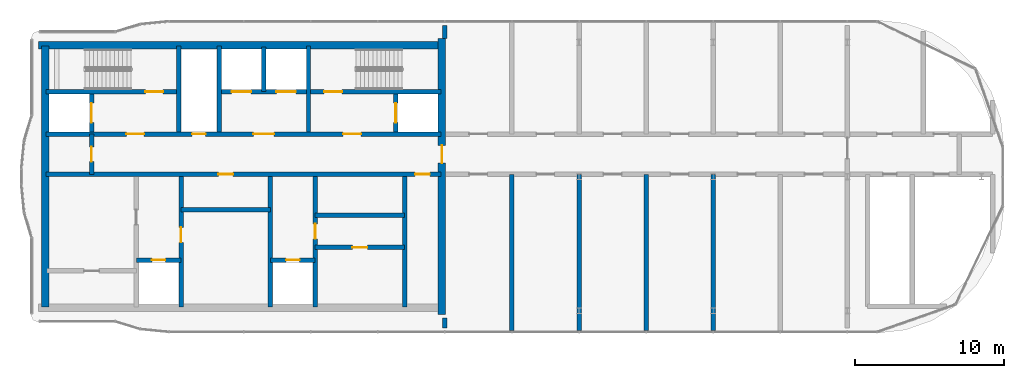
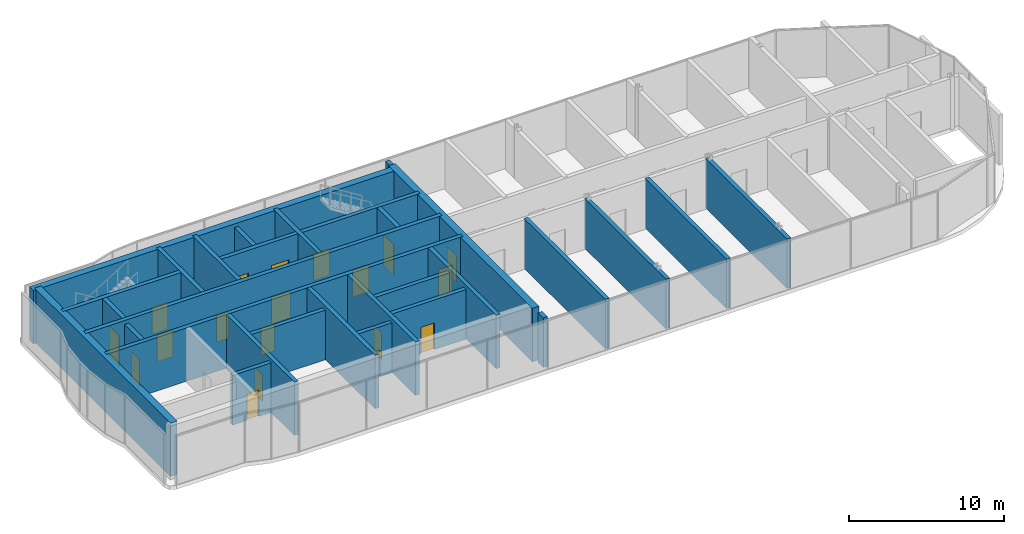
# One storey, part 11 of 14: 29 walls, 19 doors, 19 openings.
"""IFC4 building model written with IfcOpenShell, lengths in metres."""

from ifc_helpers import new_model, si_unit, direction, frame, frame_2d, origin, place, context, subcontext, project, spatial, rectangle, extrude, material, layer, layer_set, type_object, element, fill, save


model = new_model("IFC4")

# Units and contexts
model_context = context("Model", 3, precision=1e-05, world=origin(), true_north=direction((0.0, 1.0)))
body_context = subcontext(model_context, "Body", "Model", "MODEL_VIEW")
ifc_project = project(units=[si_unit("LENGTHUNIT", "METRE"), si_unit("AREAUNIT", "SQUARE_METRE"), si_unit("VOLUMEUNIT", "CUBIC_METRE"), si_unit("PLANEANGLEUNIT", "RADIAN"), si_unit("MASSUNIT", "GRAM", prefix="KILO")], contexts=[model_context])

# Site, building, storey
site_placement = place(None, origin())
site = spatial("IfcSite", under=ifc_project, at=site_placement, CompositionType="ELEMENT")
building_placement = place(site_placement, origin())
building = spatial("IfcBuilding", under=site, at=building_placement, Name="Ogive Portal Towers", CompositionType="ELEMENT")
storey_placement = place(building_placement, frame((0.0, 0.0, 277.10009765625)))
storey = spatial("IfcBuildingStorey", under=building, at=storey_placement, Name="L67", CompositionType="ELEMENT", Elevation=277.10009765625)

# Wall, opening, door
ifc_material_1 = material(Name="Concrete C60/75", Category="concrete")
ifc_layer_1 = layer(ifc_material_1, 0.300048828125)
ifc_layer_set_1 = layer_set([ifc_layer_1], Name="CORE WALL 300 C60")
wall_type_1 = type_object("IfcWallType", Name="CORE WALL 300 C60", PredefinedType="SHEAR", material=ifc_layer_set_1)
wall_1_placement = place(storey_placement, frame((40.800048828125, 21.75, 0.0), z_axis=(0.0, 0.0, 1.0), x_axis=(0.0, 1.0, 0.0)))
wall_1 = element("IfcWall", 1, at=wall_1_placement, inside=storey, type_object=wall_type_1, Name="Core wall X2 L67", PredefinedType="SHEAR", context=body_context, shape_type="SweptSolid", body=[
    extrude(rectangle(XDim=8.75, YDim=0.300048828125, at=frame_2d((4.375, 0.0))), origin(), (0.0, 0.0, 1.0), 4.199951171875),
])
opening_1_placement = place(wall_1_placement, frame((4.337890625, 0.0, 0.0)))
opening_1 = element("IfcOpeningElement", 2, at=opening_1_placement, cuts=wall_1, Name="Opening D33-018", PredefinedType="OPENING", context=body_context, shape_type="SweptSolid", body=[
    extrude(rectangle(XDim=1.0, YDim=2.10009765625, at=frame_2d((0.5, 1.050048828125))), frame((0.0, 0.16015625, 0.0), z_axis=(0.0, -1.0, 0.0), x_axis=(1.0, 0.0, 0.0)), (0.0, 0.0, 1.0), 0.320068359375),
])
ifc_material_2 = material(Name="Steel fire door", Category="steel")
door_type_1 = type_object("IfcDoorType", Name="DT-SWING-1000x2100-FD90S", OperationType="SINGLE_SWING_LEFT", PredefinedType="DOOR", material=ifc_material_2)
door_1_placement = place(opening_1_placement, origin())
door_1 = element("IfcDoor", 3, at=door_1_placement, inside=storey, type_object=door_type_1, Name="Door D33-018", OperationType="SINGLE_SWING_RIGHT", OverallHeight=2.10009765625, OverallWidth=1.0, PredefinedType="DOOR", context=body_context, shape_type="SweptSolid", body=[
    extrude(rectangle(XDim=1.0, YDim=2.10009765625, at=frame_2d((0.5, 1.050048828125))), frame((0.0, 0.02490234375, 0.0), z_axis=(0.0, -1.0, 0.0), x_axis=(1.0, 0.0, 0.0)), (0.0, 0.0, 1.0), 0.050048828125),
])
fill(opening_1, door_1)

# Wall
wall_2_placement = place(storey_placement, frame((46.800048828125, 21.75, 0.0), z_axis=(0.0, 0.0, 1.0), x_axis=(0.0, 1.0, 0.0)))
element("IfcWall", 4, at=wall_2_placement, inside=storey, type_object=wall_type_1, Name="Core wall X3 L67", PredefinedType="SHEAR", context=body_context, shape_type="SweptSolid", body=[
    extrude(rectangle(XDim=8.75, YDim=0.300048828125, at=frame_2d((4.375, 0.0))), origin(), (0.0, 0.0, 1.0), 4.199951171875),
])

# Wall, opening, door
wall_3_placement = place(storey_placement, frame((49.800048828125, 21.75, 0.0), z_axis=(0.0, 0.0, 1.0), x_axis=(0.0, 1.0, 0.0)))
wall_3 = element("IfcWall", 5, at=wall_3_placement, inside=storey, type_object=wall_type_1, Name="Core wall X4 L67", PredefinedType="SHEAR", context=body_context, shape_type="SweptSolid", body=[
    extrude(rectangle(XDim=8.75, YDim=0.300048828125, at=frame_2d((4.375, 0.0))), origin(), (0.0, 0.0, 1.0), 4.199951171875),
])
opening_2_placement = place(wall_3_placement, frame((4.574951171875, 0.0, 0.0)))
opening_2 = element("IfcOpeningElement", 6, at=opening_2_placement, cuts=wall_3, Name="Opening D33-019", PredefinedType="OPENING", context=body_context, shape_type="SweptSolid", body=[
    extrude(rectangle(XDim=1.0, YDim=2.10009765625, at=frame_2d((0.5, 1.050048828125))), frame((0.0, 0.16015625, 0.0), z_axis=(0.0, -1.0, 0.0), x_axis=(1.0, 0.0, 0.0)), (0.0, 0.0, 1.0), 0.320068359375),
])
door_2_placement = place(opening_2_placement, origin())
door_2 = element("IfcDoor", 7, at=door_2_placement, inside=storey, type_object=door_type_1, Name="Door D33-019", OperationType="SINGLE_SWING_LEFT", OverallHeight=2.10009765625, OverallWidth=1.0, PredefinedType="DOOR", context=body_context, shape_type="SweptSolid", body=[
    extrude(rectangle(XDim=1.0, YDim=2.10009765625, at=frame_2d((0.5, 1.050048828125))), frame((0.0, 0.02490234375, 0.0), z_axis=(0.0, -1.0, 0.0), x_axis=(1.0, 0.0, 0.0)), (0.0, 0.0, 1.0), 0.050048828125),
])
fill(opening_2, door_2)

# Wall
wall_4_placement = place(storey_placement, frame((55.800048828125, 21.75, 0.0), z_axis=(0.0, 0.0, 1.0), x_axis=(0.0, 1.0, 0.0)))
element("IfcWall", 8, at=wall_4_placement, inside=storey, type_object=wall_type_1, Name="Core wall X5 L67", PredefinedType="SHEAR", context=body_context, shape_type="SweptSolid", body=[
    extrude(rectangle(XDim=8.75, YDim=0.300048828125, at=frame_2d((4.375, 0.0))), origin(), (0.0, 0.0, 1.0), 4.199951171875),
])

# Wall, openings, doors
wall_5_placement = place(storey_placement, frame((31.75, 30.64990234375, 0.0), z_axis=(0.0, 0.0, 1.0), x_axis=(1.0, 0.0, 0.0)))
wall_5 = element("IfcWall", 9, at=wall_5_placement, inside=storey, type_object=wall_type_1, Name="Core wall Y1 L67", PredefinedType="SHEAR", context=body_context, shape_type="SweptSolid", body=[
    extrude(rectangle(XDim=26.5, YDim=0.300048828125, at=frame_2d((13.25, 0.0))), origin(), (0.0, 0.0, 1.0), 4.199951171875),
])
opening_3_placement = place(wall_5_placement, frame((24.75, 0.0, 0.0)))
opening_3 = element("IfcOpeningElement", 10, at=opening_3_placement, cuts=wall_5, Name="Opening D33-009", PredefinedType="OPENING", context=body_context, shape_type="SweptSolid", body=[
    extrude(rectangle(XDim=1.0, YDim=2.10009765625, at=frame_2d((0.5, 1.050048828125))), frame((0.0, 0.16015625, 0.0), z_axis=(0.0, -1.0, 0.0), x_axis=(1.0, 0.0, 0.0)), (0.0, 0.0, 1.0), 0.320068359375),
])
opening_4_placement = place(wall_5_placement, frame((11.550048828125, 0.0, 0.0)))
opening_4 = element("IfcOpeningElement", 11, at=opening_4_placement, cuts=wall_5, Name="Opening D33-017", PredefinedType="OPENING", context=body_context, shape_type="SweptSolid", body=[
    extrude(rectangle(XDim=1.0, YDim=2.10009765625, at=frame_2d((0.5, 1.050048828125))), frame((0.0, 0.16015625, 0.0), z_axis=(0.0, -1.0, 0.0), x_axis=(1.0, 0.0, 0.0)), (0.0, 0.0, 1.0), 0.320068359375),
])
door_3_placement = place(opening_3_placement, origin())
door_3 = element("IfcDoor", 12, at=door_3_placement, inside=storey, type_object=door_type_1, Name="Door D33-009", OperationType="SINGLE_SWING_LEFT", OverallHeight=2.10009765625, OverallWidth=1.0, PredefinedType="DOOR", context=body_context, shape_type="SweptSolid", body=[
    extrude(rectangle(XDim=1.0, YDim=2.10009765625, at=frame_2d((0.5, 1.050048828125))), frame((0.0, 0.02490234375, 0.0), z_axis=(0.0, -1.0, 0.0), x_axis=(1.0, 0.0, 0.0)), (0.0, 0.0, 1.0), 0.050048828125),
])
fill(opening_3, door_3)
door_4_placement = place(opening_4_placement, origin())
door_4 = element("IfcDoor", 13, at=door_4_placement, inside=storey, type_object=door_type_1, Name="Riser access door D33-017", OperationType="SINGLE_SWING_LEFT", OverallHeight=2.10009765625, OverallWidth=1.0, PredefinedType="DOOR", context=body_context, shape_type="SweptSolid", body=[
    extrude(rectangle(XDim=1.0, YDim=2.10009765625, at=frame_2d((0.5, 1.050048828125))), frame((0.0, 0.02490234375, 0.0), z_axis=(0.0, -1.0, 0.0), x_axis=(1.0, 0.0, 0.0)), (0.0, 0.0, 1.0), 0.050048828125),
])
fill(opening_4, door_4)

wall_6_placement = place(storey_placement, frame((31.75, 33.35009765625, 0.0), z_axis=(0.0, 0.0, 1.0), x_axis=(1.0, 0.0, 0.0)))
wall_6 = element("IfcWall", 14, at=wall_6_placement, inside=storey, type_object=wall_type_1, Name="Core wall Y2 L67", PredefinedType="SHEAR", context=body_context, shape_type="SweptSolid", body=[
    extrude(rectangle(XDim=26.5, YDim=0.300048828125, at=frame_2d((13.25, 0.0))), origin(), (0.0, 0.0, 1.0), 4.199951171875),
])
opening_5_placement = place(wall_6_placement, frame((13.89990234375, 0.0, 0.0)))
opening_5 = element("IfcOpeningElement", 15, at=opening_5_placement, cuts=wall_6, Name="Opening D33-001", PredefinedType="OPENING", context=body_context, shape_type="SweptSolid", body=[
    extrude(rectangle(XDim=1.39990234375, YDim=2.10009765625, at=frame_2d((0.699951171875, 1.050048828125))), frame((0.0, 0.16015625, 0.0), z_axis=(0.0, -1.0, 0.0), x_axis=(1.0, 0.0, 0.0)), (0.0, 0.0, 1.0), 0.320068359375),
])
opening_6_placement = place(wall_6_placement, frame((5.375, 0.0, 0.0)))
opening_6 = element("IfcOpeningElement", 16, at=opening_6_placement, cuts=wall_6, Name="Opening D33-002", PredefinedType="OPENING", context=body_context, shape_type="SweptSolid", body=[
    extrude(rectangle(XDim=1.199951171875, YDim=2.10009765625, at=frame_2d((0.60009765625, 1.050048828125))), frame((0.0, 0.16015625, 0.0), z_axis=(0.0, -1.0, 0.0), x_axis=(1.0, 0.0, 0.0)), (0.0, 0.0, 1.0), 0.320068359375),
])
opening_7_placement = place(wall_6_placement, frame((19.925048828125, 0.0, 0.0)))
opening_7 = element("IfcOpeningElement", 17, at=opening_7_placement, cuts=wall_6, Name="Opening D33-003", PredefinedType="OPENING", context=body_context, shape_type="SweptSolid", body=[
    extrude(rectangle(XDim=1.199951171875, YDim=2.10009765625, at=frame_2d((0.60009765625, 1.050048828125))), frame((0.0, 0.16015625, 0.0), z_axis=(0.0, -1.0, 0.0), x_axis=(1.0, 0.0, 0.0)), (0.0, 0.0, 1.0), 0.320068359375),
])
opening_8_placement = place(wall_6_placement, frame((9.800048828125, 0.0, 0.0)))
opening_8 = element("IfcOpeningElement", 18, at=opening_8_placement, cuts=wall_6, Name="Opening D33-006", PredefinedType="OPENING", context=body_context, shape_type="SweptSolid", body=[
    extrude(rectangle(XDim=0.89990234375, YDim=2.10009765625, at=frame_2d((0.449951171875, 1.050048828125))), frame((0.0, 0.16015625, 0.0), z_axis=(0.0, -1.0, 0.0), x_axis=(1.0, 0.0, 0.0)), (0.0, 0.0, 1.0), 0.320068359375),
])
door_type_2 = type_object("IfcDoorType", Name="DT-SWING-1200x2100-FD90S", OperationType="SINGLE_SWING_LEFT", PredefinedType="DOOR", material=ifc_material_2)
door_5_placement = place(opening_6_placement, origin())
door_5 = element("IfcDoor", 19, at=door_5_placement, inside=storey, type_object=door_type_2, Name="Door D33-002", OperationType="SINGLE_SWING_LEFT", OverallHeight=2.10009765625, OverallWidth=1.199951171875, PredefinedType="DOOR", context=body_context, shape_type="SweptSolid", body=[
    extrude(rectangle(XDim=1.199951171875, YDim=2.10009765625, at=frame_2d((0.60009765625, 1.050048828125))), frame((0.0, 0.02490234375, 0.0), z_axis=(0.0, -1.0, 0.0), x_axis=(1.0, 0.0, 0.0)), (0.0, 0.0, 1.0), 0.050048828125),
])
fill(opening_6, door_5)
door_6_placement = place(opening_7_placement, origin())
door_6 = element("IfcDoor", 20, at=door_6_placement, inside=storey, type_object=door_type_2, Name="Door D33-003", OperationType="SINGLE_SWING_RIGHT", OverallHeight=2.10009765625, OverallWidth=1.199951171875, PredefinedType="DOOR", context=body_context, shape_type="SweptSolid", body=[
    extrude(rectangle(XDim=1.199951171875, YDim=2.10009765625, at=frame_2d((0.60009765625, 1.050048828125))), frame((0.0, 0.02490234375, 0.0), z_axis=(0.0, -1.0, 0.0), x_axis=(1.0, 0.0, 0.0)), (0.0, 0.0, 1.0), 0.050048828125),
])
fill(opening_7, door_6)
door_type_3 = type_object("IfcDoorType", Name="DT-SWING-1400x2100-FD90S", OperationType="SINGLE_SWING_LEFT", PredefinedType="DOOR", material=ifc_material_2)
door_7_placement = place(opening_5_placement, origin())
door_7 = element("IfcDoor", 21, at=door_7_placement, inside=storey, type_object=door_type_3, Name="Door D33-001", OperationType="SINGLE_SWING_RIGHT", OverallHeight=2.10009765625, OverallWidth=1.39990234375, PredefinedType="DOOR", context=body_context, shape_type="SweptSolid", body=[
    extrude(rectangle(XDim=1.39990234375, YDim=2.10009765625, at=frame_2d((0.699951171875, 1.050048828125))), frame((0.0, 0.02490234375, 0.0), z_axis=(0.0, -1.0, 0.0), x_axis=(1.0, 0.0, 0.0)), (0.0, 0.0, 1.0), 0.050048828125),
])
fill(opening_5, door_7)
door_type_4 = type_object("IfcDoorType", Name="DT-SWING-900x2100-FD90S", OperationType="SINGLE_SWING_LEFT", PredefinedType="DOOR", material=ifc_material_2)
door_8_placement = place(opening_8_placement, origin())
door_8 = element("IfcDoor", 22, at=door_8_placement, inside=storey, type_object=door_type_4, Name="Riser access door D33-006", OperationType="SINGLE_SWING_LEFT", OverallHeight=2.10009765625, OverallWidth=0.89990234375, PredefinedType="DOOR", context=body_context, shape_type="SweptSolid", body=[
    extrude(rectangle(XDim=0.89990234375, YDim=2.10009765625, at=frame_2d((0.449951171875, 1.050048828125))), frame((0.0, 0.02490234375, 0.0), z_axis=(0.0, -1.0, 0.0), x_axis=(1.0, 0.0, 0.0)), (0.0, 0.0, 1.0), 0.050048828125),
])
fill(opening_8, door_8)

# Wall, opening, door
wall_7_placement = place(storey_placement, frame((31.75, 36.199951171875, 0.0), z_axis=(0.0, 0.0, 1.0), x_axis=(1.0, 0.0, 0.0)))
wall_7 = element("IfcWall", 23, at=wall_7_placement, inside=storey, type_object=wall_type_1, Name="Core wall Y3a L67", PredefinedType="SHEAR", context=body_context, shape_type="SweptSolid", body=[
    extrude(rectangle(XDim=8.75, YDim=0.300048828125, at=frame_2d((4.375, 0.0))), origin(), (0.0, 0.0, 1.0), 4.199951171875),
])
opening_9_placement = place(wall_7_placement, frame((6.64990234375, 0.0, 0.0)))
opening_9 = element("IfcOpeningElement", 24, at=opening_9_placement, cuts=wall_7, Name="Opening D33-004", PredefinedType="OPENING", context=body_context, shape_type="SweptSolid", body=[
    extrude(rectangle(XDim=1.199951171875, YDim=2.10009765625, at=frame_2d((0.60009765625, 1.050048828125))), frame((0.0, 0.16015625, 0.0), z_axis=(0.0, -1.0, 0.0), x_axis=(1.0, 0.0, 0.0)), (0.0, 0.0, 1.0), 0.320068359375),
])
door_9_placement = place(opening_9_placement, origin())
door_9 = element("IfcDoor", 25, at=door_9_placement, inside=storey, type_object=door_type_2, Name="Door D33-004", OperationType="SINGLE_SWING_RIGHT", OverallHeight=2.10009765625, OverallWidth=1.199951171875, PredefinedType="DOOR", context=body_context, shape_type="SweptSolid", body=[
    extrude(rectangle(XDim=1.199951171875, YDim=2.10009765625, at=frame_2d((0.60009765625, 1.050048828125))), frame((0.0, 0.02490234375, 0.0), z_axis=(0.0, -1.0, 0.0), x_axis=(1.0, 0.0, 0.0)), (0.0, 0.0, 1.0), 0.050048828125),
])
fill(opening_9, door_9)

# Wall, openings, doors
wall_8_placement = place(storey_placement, frame((43.5, 36.199951171875, 0.0), z_axis=(0.0, 0.0, 1.0), x_axis=(1.0, 0.0, 0.0)))
wall_8 = element("IfcWall", 26, at=wall_8_placement, inside=storey, type_object=wall_type_1, Name="Core wall Y3b L67", PredefinedType="SHEAR", context=body_context, shape_type="SweptSolid", body=[
    extrude(rectangle(XDim=14.75, YDim=0.300048828125, at=frame_2d((7.375, 0.0))), origin(), (0.0, 0.0, 1.0), 4.199951171875),
])
opening_10_placement = place(wall_8_placement, frame((6.89990234375, 0.0, 0.0)))
opening_10 = element("IfcOpeningElement", 27, at=opening_10_placement, cuts=wall_8, Name="Opening D33-005", PredefinedType="OPENING", context=body_context, shape_type="SweptSolid", body=[
    extrude(rectangle(XDim=1.199951171875, YDim=2.10009765625, at=frame_2d((0.60009765625, 1.050048828125))), frame((0.0, 0.16015625, 0.0), z_axis=(0.0, -1.0, 0.0), x_axis=(1.0, 0.0, 0.0)), (0.0, 0.0, 1.0), 0.320068359375),
])
opening_11_placement = place(wall_8_placement, frame((0.699951171875, 0.0, 0.0)))
opening_11 = element("IfcOpeningElement", 28, at=opening_11_placement, cuts=wall_8, Name="Opening D33-011", PredefinedType="OPENING", context=body_context, shape_type="SweptSolid", body=[
    extrude(rectangle(XDim=1.300048828125, YDim=2.39990234375, at=frame_2d((0.64990234375, 1.199951171875))), frame((0.0, 0.16015625, 0.0), z_axis=(0.0, -1.0, 0.0), x_axis=(1.0, 0.0, 0.0)), (0.0, 0.0, 1.0), 0.320068359375),
])
opening_12_placement = place(wall_8_placement, frame((3.699951171875, 0.0, 0.0)))
opening_12 = element("IfcOpeningElement", 29, at=opening_12_placement, cuts=wall_8, Name="Opening D33-012", PredefinedType="OPENING", context=body_context, shape_type="SweptSolid", body=[
    extrude(rectangle(XDim=1.300048828125, YDim=2.39990234375, at=frame_2d((0.64990234375, 1.199951171875))), frame((0.0, 0.16015625, 0.0), z_axis=(0.0, -1.0, 0.0), x_axis=(1.0, 0.0, 0.0)), (0.0, 0.0, 1.0), 0.320068359375),
])
ifc_material_3 = material(Name="Stainless steel", Category="steel")
door_type_5 = type_object("IfcDoorType", Name="DT-LD-1300x2400", OperationType="SLIDING_TO_LEFT", PredefinedType="DOOR", material=ifc_material_3)
door_10_placement = place(opening_11_placement, origin())
door_10 = element("IfcDoor", 30, at=door_10_placement, inside=storey, type_object=door_type_5, Name="Door D33-011", OperationType="SLIDING_TO_LEFT", OverallHeight=2.39990234375, OverallWidth=1.300048828125, PredefinedType="DOOR", context=body_context, shape_type="SweptSolid", body=[
    extrude(rectangle(XDim=1.300048828125, YDim=2.39990234375, at=frame_2d((0.64990234375, 1.199951171875))), frame((0.0, 0.02490234375, 0.0), z_axis=(0.0, -1.0, 0.0), x_axis=(1.0, 0.0, 0.0)), (0.0, 0.0, 1.0), 0.050048828125),
])
fill(opening_11, door_10)
door_11_placement = place(opening_12_placement, origin())
door_11 = element("IfcDoor", 31, at=door_11_placement, inside=storey, type_object=door_type_5, Name="Door D33-012", OperationType="SLIDING_TO_LEFT", OverallHeight=2.39990234375, OverallWidth=1.300048828125, PredefinedType="DOOR", context=body_context, shape_type="SweptSolid", body=[
    extrude(rectangle(XDim=1.300048828125, YDim=2.39990234375, at=frame_2d((0.64990234375, 1.199951171875))), frame((0.0, 0.02490234375, 0.0), z_axis=(0.0, -1.0, 0.0), x_axis=(1.0, 0.0, 0.0)), (0.0, 0.0, 1.0), 0.050048828125),
])
fill(opening_12, door_11)
door_12_placement = place(opening_10_placement, origin())
door_12 = element("IfcDoor", 32, at=door_12_placement, inside=storey, type_object=door_type_2, Name="Door D33-005", OperationType="SINGLE_SWING_LEFT", OverallHeight=2.10009765625, OverallWidth=1.199951171875, PredefinedType="DOOR", context=body_context, shape_type="SweptSolid", body=[
    extrude(rectangle(XDim=1.199951171875, YDim=2.10009765625, at=frame_2d((0.60009765625, 1.050048828125))), frame((0.0, 0.02490234375, 0.0), z_axis=(0.0, -1.0, 0.0), x_axis=(1.0, 0.0, 0.0)), (0.0, 0.0, 1.0), 0.050048828125),
])
fill(opening_10, door_12)

# Walls
for number, where, z_axis, x_axis, name in (
    (33, (40.64990234375, 33.5, 0.0), (0.0, 0.0, 1.0), (0.0, 1.0, 0.0), "Core wall X6 L67"),
    (34, (43.35009765625, 33.5, 0.0), (0.0, 0.0, 1.0), (0.0, 1.0, 0.0), "Core wall X7 L67"),
):
    element("IfcWall", number, at=place(storey_placement, frame(where, z_axis=z_axis, x_axis=x_axis)), inside=storey, type_object=wall_type_1, Name=name, PredefinedType="SHEAR", context=body_context, shape_type="SweptSolid", body=[
        extrude(rectangle(XDim=5.75, YDim=0.300048828125, at=frame_2d((2.875, 0.0))), origin(), (0.0, 0.0, 1.0), 4.199951171875),
    ])

# Wall, opening, door
wall_9_placement = place(storey_placement, frame((34.800048828125, 33.5, 0.0), z_axis=(0.0, 0.0, 1.0), x_axis=(0.0, 1.0, 0.0)))
wall_9 = element("IfcWall", 35, at=wall_9_placement, inside=storey, type_object=wall_type_1, Name="Core wall X8 L67", PredefinedType="SHEAR", context=body_context, shape_type="SweptSolid", body=[
    extrude(rectangle(XDim=2.550048828125, YDim=0.300048828125, at=frame_2d((1.27490234375, 0.0))), origin(), (0.0, 0.0, 1.0), 4.199951171875),
])
opening_13_placement = place(wall_9_placement, frame((0.625, 0.0, 0.0)))
opening_13 = element("IfcOpeningElement", 36, at=opening_13_placement, cuts=wall_9, Name="Opening D33-013", PredefinedType="OPENING", context=body_context, shape_type="SweptSolid", body=[
    extrude(rectangle(XDim=1.300048828125, YDim=2.39990234375, at=frame_2d((0.64990234375, 1.199951171875))), frame((0.0, 0.16015625, 0.0), z_axis=(0.0, -1.0, 0.0), x_axis=(1.0, 0.0, 0.0)), (0.0, 0.0, 1.0), 0.320068359375),
])
door_13_placement = place(opening_13_placement, origin())
door_13 = element("IfcDoor", 37, at=door_13_placement, inside=storey, type_object=door_type_5, Name="Door D33-013", OperationType="SLIDING_TO_LEFT", OverallHeight=2.39990234375, OverallWidth=1.300048828125, PredefinedType="DOOR", context=body_context, shape_type="SweptSolid", body=[
    extrude(rectangle(XDim=1.300048828125, YDim=2.39990234375, at=frame_2d((0.64990234375, 1.199951171875))), frame((0.0, 0.02490234375, 0.0), z_axis=(0.0, -1.0, 0.0), x_axis=(1.0, 0.0, 0.0)), (0.0, 0.0, 1.0), 0.050048828125),
])
fill(opening_13, door_13)

# Wall
wall_10_placement = place(storey_placement, frame((49.35009765625, 33.5, 0.0), z_axis=(0.0, 0.0, 1.0), x_axis=(0.0, 1.0, 0.0)))
element("IfcWall", 38, at=wall_10_placement, inside=storey, type_object=wall_type_1, Name="Core wall X9 L67", PredefinedType="SHEAR", context=body_context, shape_type="SweptSolid", body=[
    extrude(rectangle(XDim=5.75, YDim=0.300048828125, at=frame_2d((2.875, 0.0))), origin(), (0.0, 0.0, 1.0), 4.199951171875),
])

# Wall, opening, door
wall_11_placement = place(storey_placement, frame((55.199951171875, 33.5, 0.0), z_axis=(0.0, 0.0, 1.0), x_axis=(0.0, 1.0, 0.0)))
wall_11 = element("IfcWall", 39, at=wall_11_placement, inside=storey, type_object=wall_type_1, Name="Core wall X10 L67", PredefinedType="SHEAR", context=body_context, shape_type="SweptSolid", body=[
    extrude(rectangle(XDim=2.550048828125, YDim=0.300048828125, at=frame_2d((1.27490234375, 0.0))), origin(), (0.0, 0.0, 1.0), 4.199951171875),
])
opening_14_placement = place(wall_11_placement, frame((0.625, 0.0, 0.0)))
opening_14 = element("IfcOpeningElement", 40, at=opening_14_placement, cuts=wall_11, Name="Opening D33-014", PredefinedType="OPENING", context=body_context, shape_type="SweptSolid", body=[
    extrude(rectangle(XDim=1.300048828125, YDim=2.39990234375, at=frame_2d((0.64990234375, 1.199951171875))), frame((0.0, 0.16015625, 0.0), z_axis=(0.0, -1.0, 0.0), x_axis=(1.0, 0.0, 0.0)), (0.0, 0.0, 1.0), 0.320068359375),
])
door_14_placement = place(opening_14_placement, origin())
door_14 = element("IfcDoor", 41, at=door_14_placement, inside=storey, type_object=door_type_5, Name="Door D33-014", OperationType="SLIDING_TO_LEFT", OverallHeight=2.39990234375, OverallWidth=1.300048828125, PredefinedType="DOOR", context=body_context, shape_type="SweptSolid", body=[
    extrude(rectangle(XDim=1.300048828125, YDim=2.39990234375, at=frame_2d((0.64990234375, 1.199951171875))), frame((0.0, 0.02490234375, 0.0), z_axis=(0.0, -1.0, 0.0), x_axis=(1.0, 0.0, 0.0)), (0.0, 0.0, 1.0), 0.050048828125),
])
fill(opening_14, door_14)

# Wall
ifc_layer_2 = layer(ifc_material_1, 0.5)
ifc_layer_set_2 = layer_set([ifc_layer_2], Name="CORE WALL 500 C60")
wall_type_2 = type_object("IfcWallType", Name="CORE WALL 500 C60", PredefinedType="SHEAR", material=ifc_layer_set_2)
wall_12_placement = place(storey_placement, frame((31.699951171875, 21.75, 0.0), z_axis=(0.0, 0.0, 1.0), x_axis=(0.0, 1.0, 0.0)))
element("IfcWall", 42, at=wall_12_placement, inside=storey, type_object=wall_type_2, Name="Core wall W L67", PredefinedType="SHEAR", context=body_context, shape_type="SweptSolid", body=[
    extrude(rectangle(XDim=17.5, YDim=0.5, at=frame_2d((8.75, 0.0))), origin(), (0.0, 0.0, 1.0), 4.199951171875),
])

# Wall, opening, door
wall_13_placement = place(storey_placement, frame((58.300048828125, 21.25, 0.0), z_axis=(0.0, 0.0, 1.0), x_axis=(0.0, 1.0, 0.0)))
wall_13 = element("IfcWall", 43, at=wall_13_placement, inside=storey, type_object=wall_type_2, Name="Core wall E L67", PredefinedType="SHEAR", context=body_context, shape_type="SweptSolid", body=[
    extrude(rectangle(XDim=18.5, YDim=0.5, at=frame_2d((9.25, 0.0))), origin(), (0.0, 0.0, 1.0), 4.199951171875),
])
opening_15_placement = place(wall_13_placement, frame((10.14990234375, 0.0, 0.0)))
opening_15 = element("IfcOpeningElement", 44, at=opening_15_placement, cuts=wall_13, Name="Opening D33-010", PredefinedType="OPENING", context=body_context, shape_type="SweptSolid", body=[
    extrude(rectangle(XDim=1.199951171875, YDim=2.10009765625, at=frame_2d((0.60009765625, 1.050048828125))), frame((0.0, 0.260009765625, 0.0), z_axis=(0.0, -1.0, 0.0), x_axis=(1.0, 0.0, 0.0)), (0.0, 0.0, 1.0), 0.52001953125),
])
door_15_placement = place(opening_15_placement, origin())
door_15 = element("IfcDoor", 45, at=door_15_placement, inside=storey, type_object=door_type_2, Name="Door D33-010", OperationType="SINGLE_SWING_LEFT", OverallHeight=2.10009765625, OverallWidth=1.199951171875, PredefinedType="DOOR", context=body_context, shape_type="SweptSolid", body=[
    extrude(rectangle(XDim=1.199951171875, YDim=2.10009765625, at=frame_2d((0.60009765625, 1.050048828125))), frame((0.0, 0.02490234375, 0.0), z_axis=(0.0, -1.0, 0.0), x_axis=(1.0, 0.0, 0.0)), (0.0, 0.0, 1.0), 0.050048828125),
])
fill(opening_15, door_15)

# Wall
wall_14_placement = place(storey_placement, frame((31.25, 39.300048828125, 0.0), z_axis=(0.0, 0.0, 1.0), x_axis=(1.0, 0.0, 0.0)))
element("IfcWall", 46, at=wall_14_placement, inside=storey, type_object=wall_type_2, Name="Core wall N L67", PredefinedType="SHEAR", context=body_context, shape_type="SweptSolid", body=[
    extrude(rectangle(XDim=27.0, YDim=0.5, at=frame_2d((13.5, 0.0))), origin(), (0.0, 0.0, 1.0), 4.199951171875),
])

# Wall, opening, door
ifc_material_4 = material(Name="Gypsum board partition on steel studs", Category="steel")
ifc_layer_3 = layer(ifc_material_4, 0.300048828125)
ifc_layer_set_3 = layer_set([ifc_layer_3], Name="WT-PART-300")
wall_type_3 = type_object("IfcWallType", Name="WT-PART-300", PredefinedType="PARTITIONING", material=ifc_layer_set_3)
wall_15_placement = place(storey_placement, frame((37.800048828125, 24.89990234375, 0.0), z_axis=(0.0, 0.0, 1.0), x_axis=(1.0, 0.0, 0.0)))
wall_15 = element("IfcWall", 47, at=wall_15_placement, inside=storey, type_object=wall_type_3, Name="Wall pw:002:L67", PredefinedType="PARTITIONING", context=body_context, shape_type="SweptSolid", body=[
    extrude(rectangle(XDim=3.0, YDim=0.300048828125, at=frame_2d((1.5, 0.0))), origin(), (0.0, 0.0, 1.0), 3.89990234375),
])
opening_16_placement = place(wall_15_placement, frame((1.050048828125, 0.0, 0.0)))
opening_16 = element("IfcOpeningElement", 48, at=opening_16_placement, cuts=wall_15, Name="Opening D33-007", PredefinedType="OPENING", context=body_context, shape_type="SweptSolid", body=[
    extrude(rectangle(XDim=0.89990234375, YDim=2.10009765625, at=frame_2d((0.449951171875, 1.050048828125))), frame((0.0, 0.16015625, 0.0), z_axis=(0.0, -1.0, 0.0), x_axis=(1.0, 0.0, 0.0)), (0.0, 0.0, 1.0), 0.320068359375),
])
door_type_6 = type_object("IfcDoorType", Name="DT-SWING-900x2100-FD60S", OperationType="SINGLE_SWING_LEFT", PredefinedType="DOOR", material=ifc_material_2)
door_16_placement = place(opening_16_placement, origin())
door_16 = element("IfcDoor", 49, at=door_16_placement, inside=storey, type_object=door_type_6, Name="Riser access door D33-007", OperationType="SINGLE_SWING_LEFT", OverallHeight=2.10009765625, OverallWidth=0.89990234375, PredefinedType="DOOR", context=body_context, shape_type="SweptSolid", body=[
    extrude(rectangle(XDim=0.89990234375, YDim=2.10009765625, at=frame_2d((0.449951171875, 1.050048828125))), frame((0.0, 0.02490234375, 0.0), z_axis=(0.0, -1.0, 0.0), x_axis=(1.0, 0.0, 0.0)), (0.0, 0.0, 1.0), 0.050048828125),
])
fill(opening_16, door_16)

wall_16_placement = place(storey_placement, frame((46.800048828125, 24.89990234375, 0.0), z_axis=(0.0, 0.0, 1.0), x_axis=(1.0, 0.0, 0.0)))
wall_16 = element("IfcWall", 50, at=wall_16_placement, inside=storey, type_object=wall_type_3, Name="Wall pw:003:L67", PredefinedType="PARTITIONING", context=body_context, shape_type="SweptSolid", body=[
    extrude(rectangle(XDim=3.0, YDim=0.300048828125, at=frame_2d((1.5, 0.0))), origin(), (0.0, 0.0, 1.0), 3.89990234375),
])
opening_17_placement = place(wall_16_placement, frame((1.050048828125, 0.0, 0.0)))
opening_17 = element("IfcOpeningElement", 51, at=opening_17_placement, cuts=wall_16, Name="Opening D33-008", PredefinedType="OPENING", context=body_context, shape_type="SweptSolid", body=[
    extrude(rectangle(XDim=0.89990234375, YDim=2.10009765625, at=frame_2d((0.449951171875, 1.050048828125))), frame((0.0, 0.16015625, 0.0), z_axis=(0.0, -1.0, 0.0), x_axis=(1.0, 0.0, 0.0)), (0.0, 0.0, 1.0), 0.320068359375),
])
door_17_placement = place(opening_17_placement, origin())
door_17 = element("IfcDoor", 52, at=door_17_placement, inside=storey, type_object=door_type_6, Name="Riser access door D33-008", OperationType="SINGLE_SWING_RIGHT", OverallHeight=2.10009765625, OverallWidth=0.89990234375, PredefinedType="DOOR", context=body_context, shape_type="SweptSolid", body=[
    extrude(rectangle(XDim=0.89990234375, YDim=2.10009765625, at=frame_2d((0.449951171875, 1.050048828125))), frame((0.0, 0.02490234375, 0.0), z_axis=(0.0, -1.0, 0.0), x_axis=(1.0, 0.0, 0.0)), (0.0, 0.0, 1.0), 0.050048828125),
])
fill(opening_17, door_17)

wall_17_placement = place(storey_placement, frame((49.800048828125, 25.75, 0.0), z_axis=(0.0, 0.0, 1.0), x_axis=(1.0, 0.0, 0.0)))
wall_17 = element("IfcWall", 53, at=wall_17_placement, inside=storey, type_object=wall_type_3, Name="Wall pw:004:L67", PredefinedType="PARTITIONING", context=body_context, shape_type="SweptSolid", body=[
    extrude(rectangle(XDim=6.0, YDim=0.300048828125, at=frame_2d((3.0, 0.0))), origin(), (0.0, 0.0, 1.0), 3.89990234375),
])
opening_18_placement = place(wall_17_placement, frame((2.5, 0.0, 0.0)))
opening_18 = element("IfcOpeningElement", 54, at=opening_18_placement, cuts=wall_17, Name="Opening D33-020", PredefinedType="OPENING", context=body_context, shape_type="SweptSolid", body=[
    extrude(rectangle(XDim=1.0, YDim=2.10009765625, at=frame_2d((0.5, 1.050048828125))), frame((0.0, 0.16015625, 0.0), z_axis=(0.0, -1.0, 0.0), x_axis=(1.0, 0.0, 0.0)), (0.0, 0.0, 1.0), 0.320068359375),
])
door_type_7 = type_object("IfcDoorType", Name="DT-SWING-1000x2100-FD60S", OperationType="SINGLE_SWING_LEFT", PredefinedType="DOOR", material=ifc_material_2)
door_18_placement = place(opening_18_placement, origin())
door_18 = element("IfcDoor", 55, at=door_18_placement, inside=storey, type_object=door_type_7, Name="Door D33-020", OperationType="SINGLE_SWING_RIGHT", OverallHeight=2.10009765625, OverallWidth=1.0, PredefinedType="DOOR", context=body_context, shape_type="SweptSolid", body=[
    extrude(rectangle(XDim=1.0, YDim=2.10009765625, at=frame_2d((0.5, 1.050048828125))), frame((0.0, 0.02490234375, 0.0), z_axis=(0.0, -1.0, 0.0), x_axis=(1.0, 0.0, 0.0)), (0.0, 0.0, 1.0), 0.050048828125),
])
fill(opening_18, door_18)

# Walls
for number, where, z_axis, x_axis, name in (
    (56, (49.800048828125, 27.89990234375, 0.0), (0.0, 0.0, 1.0), (1.0, 0.0, 0.0), "Wall pw:005:L67"),
    (57, (40.800048828125, 28.277099609375, 0.0), (0.0, 0.0, 1.0), (1.0, 0.0, 0.0), "Wall pw:006:L67"),
):
    element("IfcWall", number, at=place(storey_placement, frame(where, z_axis=z_axis, x_axis=x_axis)), inside=storey, type_object=wall_type_3, Name=name, PredefinedType="PARTITIONING", context=body_context, shape_type="SweptSolid", body=[
        extrude(rectangle(XDim=6.0, YDim=0.300048828125, at=frame_2d((3.0, 0.0))), origin(), (0.0, 0.0, 1.0), 3.89990234375),
    ])
ifc_layer_4 = layer(ifc_material_4, 0.300048828125)
ifc_layer_set_4 = layer_set([ifc_layer_4], Name="WT-PART-300-EI 60")
wall_type_4 = type_object("IfcWallType", Name="WT-PART-300-EI 60", PredefinedType="PARTITIONING", material=ifc_layer_set_4)
wall_18_placement = place(storey_placement, frame((58.5, 20.35009765625, 0.0), z_axis=(0.0, 0.0, 1.0), x_axis=(0.0, 1.0, 0.0)))
element("IfcWall", 58, at=wall_18_placement, inside=storey, type_object=wall_type_4, Name="Wall L67:w006", PredefinedType="PARTITIONING", context=body_context, shape_type="SweptSolid", body=[
    extrude(rectangle(XDim=0.679931640625, YDim=0.300048828125, at=frame_2d((0.33984375, 0.0))), origin(), (0.0, 0.0, 1.0), 3.89990234375),
])
wall_19_placement = place(storey_placement, frame((58.5, 39.75, 0.0), z_axis=(0.0, 0.0, 1.0), x_axis=(0.0, 1.0, 0.0)))
element("IfcWall", 59, at=wall_19_placement, inside=storey, type_object=wall_type_4, Name="Wall L67:w007", PredefinedType="PARTITIONING", context=body_context, shape_type="SweptSolid", body=[
    extrude(rectangle(XDim=0.89990234375, YDim=0.300048828125, at=frame_2d((0.449951171875, 0.0))), origin(), (0.0, 0.0, 1.0), 3.89990234375),
])
for number, where, z_axis, x_axis, name in (
    (60, (63.0, 20.169921875, 0.0), (0.0, 0.0, 1.0), (0.0, 1.0, 0.0), "Wall L67:w008"),
    (61, (67.5, 20.169921875, 0.0), (0.0, 0.0, 1.0), (0.0, 1.0, 0.0), "Wall L67:w010"),
    (62, (72.0, 20.169921875, 0.0), (0.0, 0.0, 1.0), (0.0, 1.0, 0.0), "Wall L67:w012"),
    (63, (76.5, 20.169921875, 0.0), (0.0, 0.0, 1.0), (0.0, 1.0, 0.0), "Wall L67:w014"),
):
    element("IfcWall", number, at=place(storey_placement, frame(where, z_axis=z_axis, x_axis=x_axis)), inside=storey, type_object=wall_type_4, Name=name, PredefinedType="PARTITIONING", context=body_context, shape_type="SweptSolid", body=[
        extrude(rectangle(XDim=10.47998046875, YDim=0.300048828125, at=frame_2d((5.239990234375, 0.0))), origin(), (0.0, 0.0, 1.0), 3.89990234375),
    ])

# Wall, opening, door
ifc_material_5 = material(Name="Concrete C40/50", Category="concrete")
ifc_layer_5 = layer(ifc_material_5, 0.300048828125)
ifc_layer_set_5 = layer_set([ifc_layer_5], Name="WT-SHAFT-300")
wall_type_5 = type_object("IfcWallType", Name="WT-SHAFT-300", PredefinedType="SOLIDWALL", material=ifc_layer_set_5)
wall_20_placement = place(storey_placement, frame((34.800048828125, 30.64990234375, 0.0), z_axis=(0.0, 0.0, 1.0), x_axis=(0.0, 1.0, 0.0)))
wall_20 = element("IfcWall", 64, at=wall_20_placement, inside=storey, type_object=wall_type_5, Name="Wall pw:007:L67", PredefinedType="SOLIDWALL", context=body_context, shape_type="SweptSolid", body=[
    extrude(rectangle(XDim=2.7001953125, YDim=0.300048828125, at=frame_2d((1.35009765625, 0.0))), origin(), (0.0, 0.0, 1.0), 3.89990234375),
])
opening_19_placement = place(wall_20_placement, frame((0.85009765625, 0.0, 0.0)))
opening_19 = element("IfcOpeningElement", 65, at=opening_19_placement, cuts=wall_20, Name="Opening D33-021", PredefinedType="OPENING", context=body_context, shape_type="SweptSolid", body=[
    extrude(rectangle(XDim=1.0, YDim=2.10009765625, at=frame_2d((0.5, 1.050048828125))), frame((0.0, 0.16015625, 0.0), z_axis=(0.0, -1.0, 0.0), x_axis=(1.0, 0.0, 0.0)), (0.0, 0.0, 1.0), 0.320068359375),
])
door_19_placement = place(opening_19_placement, origin())
door_19 = element("IfcDoor", 66, at=door_19_placement, inside=storey, type_object=door_type_1, Name="Door D33-021", OperationType="SINGLE_SWING_LEFT", OverallHeight=2.10009765625, OverallWidth=1.0, PredefinedType="DOOR", context=body_context, shape_type="SweptSolid", body=[
    extrude(rectangle(XDim=1.0, YDim=2.10009765625, at=frame_2d((0.5, 1.050048828125))), frame((0.0, 0.02490234375, 0.0), z_axis=(0.0, -1.0, 0.0), x_axis=(1.0, 0.0, 0.0)), (0.0, 0.0, 1.0), 0.050048828125),
])
fill(opening_19, door_19)

# Wall
wall_21_placement = place(storey_placement, frame((46.35009765625, 36.199951171875, 0.0), z_axis=(0.0, 0.0, 1.0), x_axis=(0.0, 1.0, 0.0)))
element("IfcWall", 67, at=wall_21_placement, inside=storey, type_object=wall_type_5, Name="Wall pw:008:L67", PredefinedType="SOLIDWALL", context=body_context, shape_type="SweptSolid", body=[
    extrude(rectangle(XDim=3.0, YDim=0.300048828125, at=frame_2d((1.5, 0.0))), origin(), (0.0, 0.0, 1.0), 3.89990234375),
])

save(model, "model.ifc")
